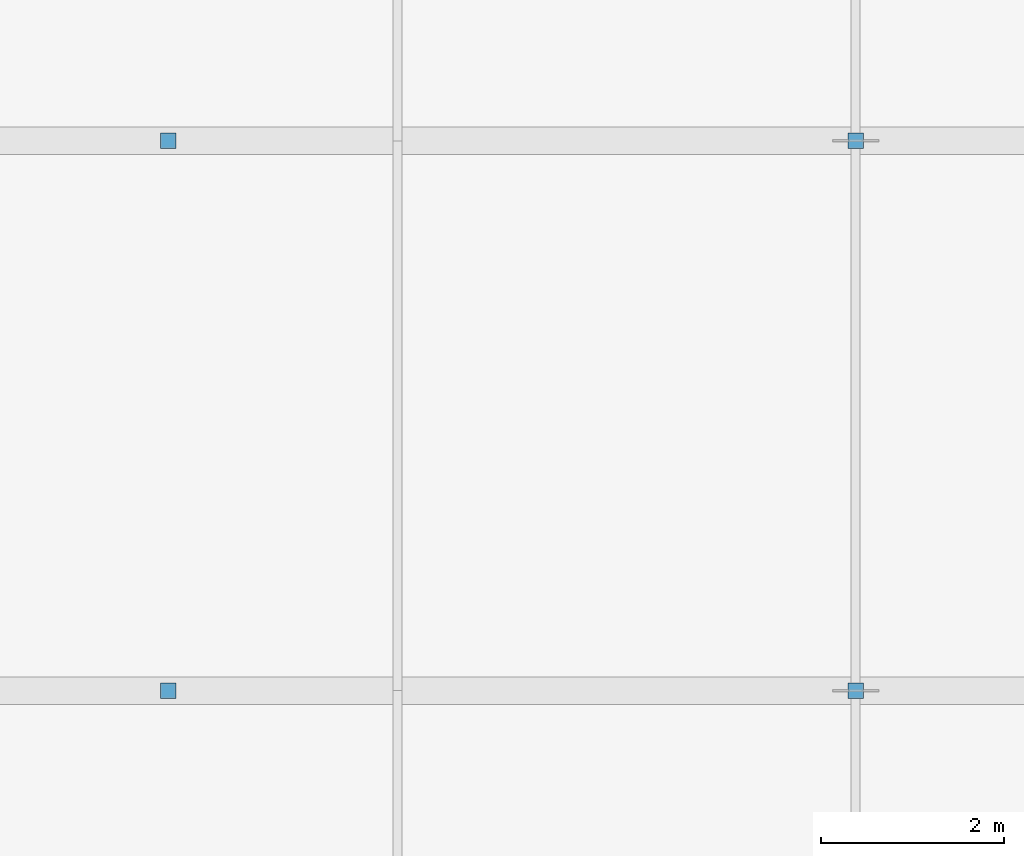
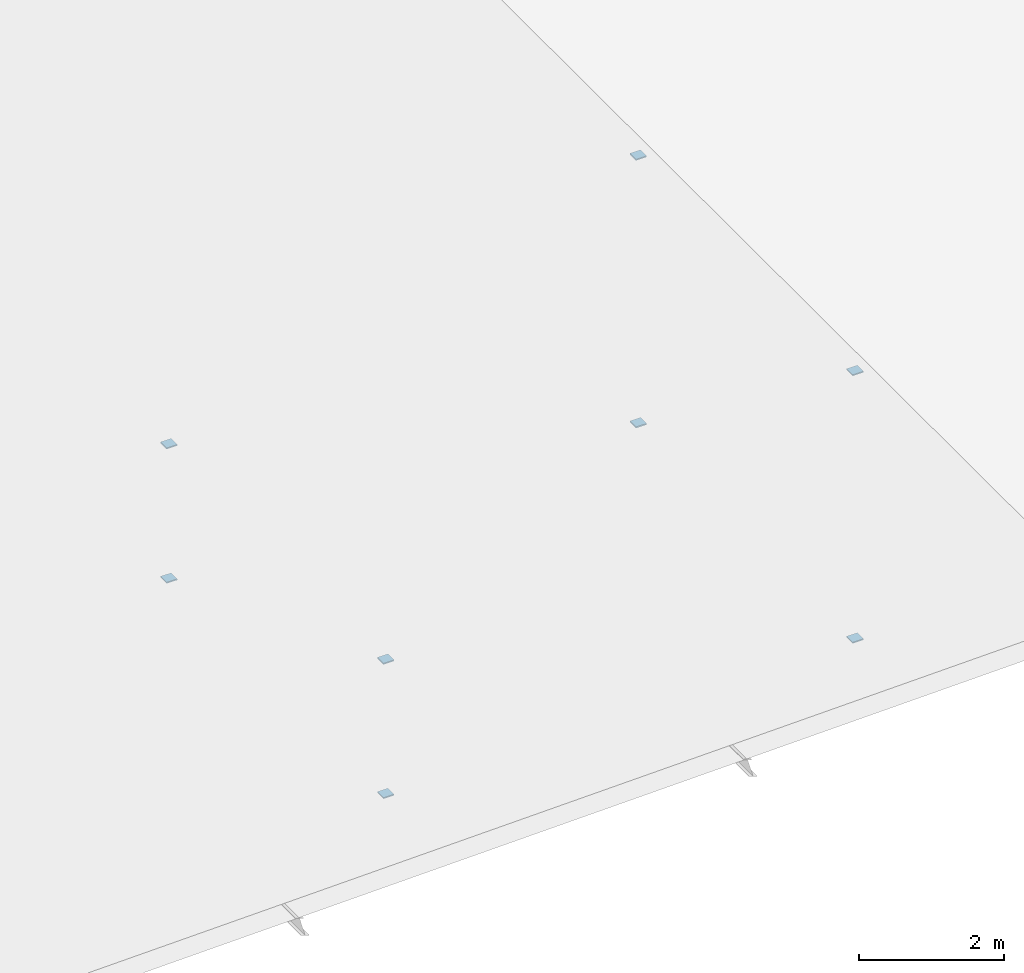
# One storey, part 198 of 204: 8 discrete accessories.
"""IFC4 building model written with IfcOpenShell, lengths in metres."""

from ifc_helpers import new_model, si_unit, direction, frame, origin, origin_2d, place, context, subcontext, project, spatial, rectangle, extrude, material, layer, layer_set, type_object, element, save


model = new_model("IFC4")

# Units and contexts
model_context = context("Model", 3, precision=1e-05, world=origin(), true_north=direction((0.0, 1.0)))
body_context = subcontext(model_context, "Body", "Model", "MODEL_VIEW")
ifc_project = project(units=[si_unit("LENGTHUNIT", "METRE"), si_unit("AREAUNIT", "SQUARE_METRE"), si_unit("VOLUMEUNIT", "CUBIC_METRE"), si_unit("PLANEANGLEUNIT", "RADIAN"), si_unit("MASSUNIT", "GRAM", prefix="KILO")], contexts=[model_context])

# Site, building, storey
site_placement = place(None, origin())
site = spatial("IfcSite", under=ifc_project, at=site_placement, CompositionType="ELEMENT")
building_placement = place(site_placement, origin())
building = spatial("IfcBuilding", under=site, at=building_placement, Name="Zilviju Railside Exhibition Hall", CompositionType="ELEMENT")
storey_placement = place(building_placement, frame((0.0, 0.0, 21.0)))
storey = spatial("IfcBuildingStorey", under=building, at=storey_placement, Name="RF", CompositionType="ELEMENT", Elevation=21.0)

# Discrete accessories
ifc_material = material(Name="Steel S355ML", Category="steel")
ifc_layer = layer(ifc_material, 0.02001953125)
ifc_layer_set = layer_set([ifc_layer], Name="Steel S355ML")
discrete_accessory_type = type_object("IfcDiscreteAccessoryType", Name="ACC-CAP-20", PredefinedType="BRACKET", material=ifc_layer_set)
for number, where, z_axis, x_axis, name in (
    (1, (63.0, 78.0, -8.419921875), (0.0, 0.0, 1.0), (1.0, 0.0, 0.0), "SHS Post End Seal Cap BOT 25"),
    (2, (63.0, 78.0, -3.89990234375), (0.0, 0.0, 1.0), (1.0, 0.0, 0.0), "SHS Post End Seal Cap TOP 26"),
    (3, (55.5, 78.0, -8.419921875), (0.0, 0.0, 1.0), (1.0, 0.0, 0.0), "SHS Post End Seal Cap BOT 27"),
    (4, (55.5, 78.0, -6.14990234375), (0.0, 0.0, 1.0), (1.0, 0.0, 0.0), "SHS Post End Seal Cap TOP 28"),
    (5, (63.0, 84.0, -8.419921875), (0.0, 0.0, 1.0), (1.0, 0.0, 0.0), "SHS Post End Seal Cap BOT 31"),
    (6, (63.0, 84.0, -3.89990234375), (0.0, 0.0, 1.0), (1.0, 0.0, 0.0), "SHS Post End Seal Cap TOP 32"),
    (7, (55.5, 84.0, -8.419921875), (0.0, 0.0, 1.0), (1.0, 0.0, 0.0), "SHS Post End Seal Cap BOT 33"),
    (8, (55.5, 84.0, -6.14990234375), (0.0, 0.0, 1.0), (1.0, 0.0, 0.0), "SHS Post End Seal Cap TOP 34"),
):
    element("IfcDiscreteAccessory", number, at=place(storey_placement, frame(where, z_axis=z_axis, x_axis=x_axis)), inside=storey, type_object=discrete_accessory_type, Name=name, PredefinedType="BRACKET", context=body_context, shape_type="SweptSolid", body=[
        extrude(rectangle(XDim=0.169921875, YDim=0.169921875, at=origin_2d()), origin(), (0.0, 0.0, 1.0), 0.02001953125),
    ])

save(model, "model.ifc")
